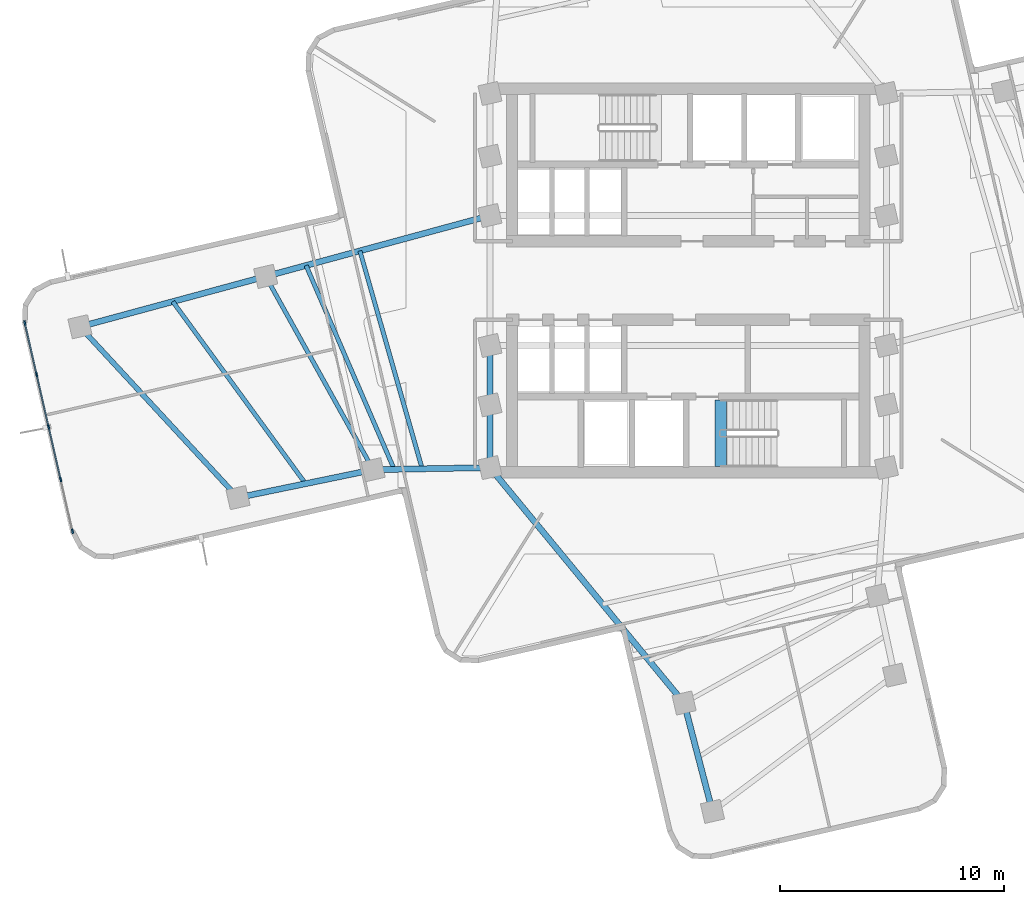
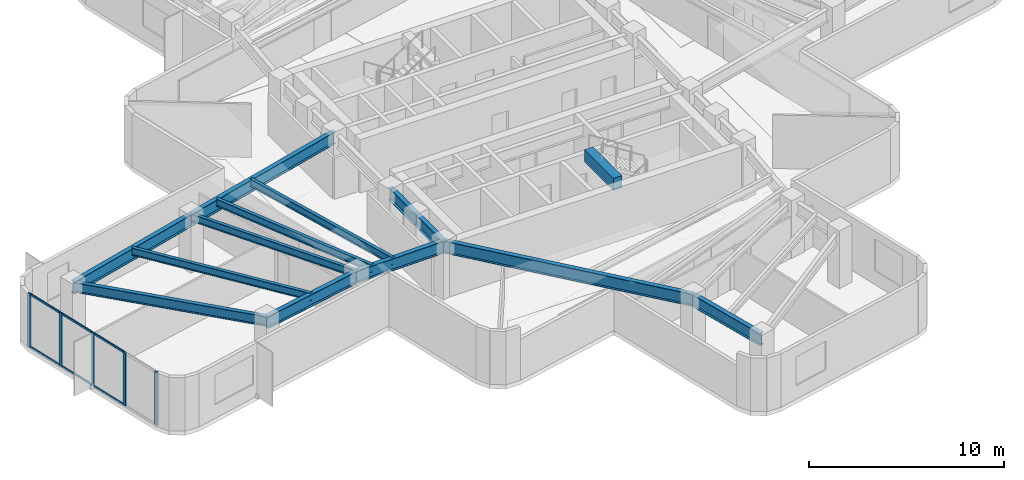
# One storey, part 2 of 11: 14 beams, 11 members, 1 element without a shape of its own.
"""IFC4 building model written with IfcOpenShell, lengths in metres."""

from ifc_helpers import new_model, si_unit, direction, frame, origin, origin_2d, place, context, subcontext, project, spatial, rectangle, i_section, extrude, material, layer, layer_set, material_profile, profile_set, type_object, element, aggregate, save


model = new_model("IFC4")

# Units and contexts
model_context = context("Model", 3, precision=1e-05, world=origin(), true_north=direction((0.0, 1.0)))
body_context = subcontext(model_context, "Body", "Model", "MODEL_VIEW")
ifc_project = project(units=[si_unit("LENGTHUNIT", "METRE"), si_unit("AREAUNIT", "SQUARE_METRE"), si_unit("VOLUMEUNIT", "CUBIC_METRE"), si_unit("PLANEANGLEUNIT", "RADIAN"), si_unit("MASSUNIT", "GRAM", prefix="KILO")], contexts=[model_context])

# Site, building, storey
site_placement = place(None, origin())
site = spatial("IfcSite", under=ifc_project, at=site_placement, CompositionType="ELEMENT")
building_placement = place(site_placement, origin())
building = spatial("IfcBuilding", under=site, at=building_placement, Name="Solmarez Civic Tower", CompositionType="ELEMENT")
storey_placement = place(building_placement, frame((0.0, 0.0, 119.8798828125)))
storey = spatial("IfcBuildingStorey", under=building, at=storey_placement, Name="L31", CompositionType="ELEMENT", Elevation=119.8798828125)

# Beams
ifc_material_1 = material(Name="Steel S355", Category="steel")
ifc_material_profile_1 = material_profile(ifc_material_1, i_section(OverallWidth=0.19189453125, OverallDepth=0.462890625, WebThickness=0.010498046875, FlangeThickness=0.017578125, at=origin_2d()), Name="W18X60")
ifc_profile_set_1 = profile_set([ifc_material_profile_1], Name="Steel S355")
beam_type_1 = type_object("IfcBeamType", Name="BM-JS-W18X60", PredefinedType="JOIST", material=ifc_profile_set_1)
beam_1_placement = place(storey_placement, frame((-18.860107421875, 0.18310546875, 3.109130859375), z_axis=(0.485852902718, -0.874040592261, 0.0), x_axis=(0.874040592261, 0.485852902718, 0.0)))
element("IfcBeam", 1, at=beam_1_placement, inside=storey, type_object=beam_type_1, Name="L31 Secondary Floor Joist BM-L31-WA-T1", PredefinedType="JOIST", context=body_context, shape_type="SweptSolid", body=[
    extrude(i_section(OverallWidth=0.19189453125, OverallDepth=0.462890625, WebThickness=0.010498046875, FlangeThickness=0.017578125, at=origin_2d()), origin(), (0.0, 0.0, 1.0), 9.87158203125),
])
beam_2_placement = place(storey_placement, frame((-23.006103515625, -0.94091796875, 3.109130859375), z_axis=(0.589058914091, -0.808090091345, 0.0), x_axis=(0.808090091345, 0.589058914091, 0.0)))
element("IfcBeam", 2, at=beam_2_placement, inside=storey, type_object=beam_type_1, Name="L31 Secondary Floor Joist JS-L31-WA-M2", PredefinedType="JOIST", context=body_context, shape_type="SweptSolid", body=[
    extrude(i_section(OverallWidth=0.19189453125, OverallDepth=0.462890625, WebThickness=0.010498046875, FlangeThickness=0.017578125, at=origin_2d()), origin(), (0.0, 0.0, 1.0), 10.05859375),
])
beam_3_placement = place(storey_placement, frame((-14.656005859375, 1.323974609375, 3.109130859375), z_axis=(0.27492825036, -0.961464745664, 0.0), x_axis=(0.961464745664, 0.27492825036, 0.0)))
element("IfcBeam", 3, at=beam_3_placement, inside=storey, type_object=beam_type_1, Name="L31 Secondary Floor Joist JS-L31-WA-M11", PredefinedType="JOIST", context=body_context, shape_type="SweptSolid", body=[
    extrude(i_section(OverallWidth=0.19189453125, OverallDepth=0.462890625, WebThickness=0.010498046875, FlangeThickness=0.017578125, at=origin_2d()), origin(), (0.0, 0.0, 1.0), 10.118896484375),
])
beam_4_placement = place(storey_placement, frame((-17.05810546875, 0.672119140625, 3.109130859375), z_axis=(0.396735074316, -0.917933157048, 0.0), x_axis=(0.917933157048, 0.396735074316, 0.0)))
element("IfcBeam", 4, at=beam_4_placement, inside=storey, type_object=beam_type_1, Name="L31 Secondary Floor Joist JS-L31-WA-M12", PredefinedType="JOIST", context=body_context, shape_type="SweptSolid", body=[
    extrude(i_section(OverallWidth=0.19189453125, OverallDepth=0.462890625, WebThickness=0.010498046875, FlangeThickness=0.017578125, at=origin_2d()), origin(), (0.0, 0.0, 1.0), 9.91357421875),
])
ifc_material_2 = material(Name="Concrete C50/60", Category="concrete")
ifc_material_profile_2 = material_profile(ifc_material_2, rectangle(XDim=0.5, YDim=0.75, at=origin_2d()), Name="RC500X750")
ifc_profile_set_2 = profile_set([ifc_material_profile_2], Name="Concrete C50/60")
beam_type_2 = type_object("IfcBeamType", Name="BM-PR-RC500X750", PredefinedType="BEAM", material=ifc_profile_set_2)
beam_5_placement = place(storey_placement, frame((1.449951171875, -8.300048828125, 3.233154296875), z_axis=(0.0, 1.0, 0.0), x_axis=(-1.0, 0.0, 0.0)))
element("IfcBeam", 5, at=beam_5_placement, inside=storey, type_object=beam_type_2, Name="L31 South Stair Threshold Beam", PredefinedType="BEAM", context=body_context, shape_type="SweptSolid", body=[
    extrude(rectangle(XDim=0.5, YDim=0.75, at=origin_2d()), origin(), (0.0, 0.0, 1.0), 2.9599609375),
])
ifc_material_profile_3 = material_profile(ifc_material_1, i_section(OverallWidth=0.26708984375, OverallDepth=0.761962890625, WebThickness=0.014404296875, FlangeThickness=0.021484375, at=origin_2d()), Name="W30X116")
ifc_profile_set_3 = profile_set([ifc_material_profile_3], Name="Steel S355")
beam_type_3 = type_object("IfcBeamType", Name="BM-PR-W30X116", PredefinedType="BEAM", material=ifc_profile_set_3)
beam_6_placement = place(storey_placement, frame((-8.85009765625, -8.35009765625, 2.959228515625), z_axis=(0.0, 1.0, 0.0), x_axis=(-1.0, 0.0, 0.0)))
element("IfcBeam", 6, at=beam_6_placement, inside=storey, type_object=beam_type_3, Name="L31 Primary Floor Beam BM-L31-HC12-HC1", PredefinedType="BEAM", context=body_context, shape_type="SweptSolid", body=[
    extrude(i_section(OverallWidth=0.26708984375, OverallDepth=0.761962890625, WebThickness=0.014404296875, FlangeThickness=0.021484375, at=origin_2d()), origin(), (0.0, 0.0, 1.0), 2.800048828125),
])
beam_7_placement = place(storey_placement, frame((-8.85009765625, -5.550048828125, 2.959228515625), z_axis=(0.0, 1.0, 0.0), x_axis=(-1.0, 0.0, 0.0)))
element("IfcBeam", 7, at=beam_7_placement, inside=storey, type_object=beam_type_3, Name="L31 Primary Floor Beam BM-L31-HC1-HC2", PredefinedType="BEAM", context=body_context, shape_type="SweptSolid", body=[
    extrude(i_section(OverallWidth=0.26708984375, OverallDepth=0.761962890625, WebThickness=0.014404296875, FlangeThickness=0.021484375, at=origin_2d()), origin(), (0.0, 0.0, 1.0), 2.650146484375),
])
beam_8_placement = place(storey_placement, frame((-8.85009765625, 2.89990234375, 2.959228515625), z_axis=(-0.965086289853, -0.261932153691, 0.0), x_axis=(0.261932153691, -0.965086289853, 0.0)))
element("IfcBeam", 8, at=beam_8_placement, inside=storey, type_object=beam_type_3, Name="L31 Primary Floor Beam BM-L31-WA-R1A", PredefinedType="BEAM", context=body_context, shape_type="SweptSolid", body=[
    extrude(i_section(OverallWidth=0.26708984375, OverallDepth=0.761962890625, WebThickness=0.014404296875, FlangeThickness=0.021484375, at=origin_2d()), origin(), (0.0, 0.0, 1.0), 10.3720703125),
])
beam_9_placement = place(storey_placement, frame((-8.85009765625, -8.35009765625, 2.959228515625), z_axis=(-0.999834147765, -0.018212000538, 0.0), x_axis=(0.018212000538, -0.999834147765, 0.0)))
element("IfcBeam", 9, at=beam_9_placement, inside=storey, type_object=beam_type_3, Name="L31 Primary Floor Beam BM-L31-WA-R1B", PredefinedType="BEAM", context=body_context, shape_type="SweptSolid", body=[
    extrude(i_section(OverallWidth=0.26708984375, OverallDepth=0.761962890625, WebThickness=0.014404296875, FlangeThickness=0.021484375, at=origin_2d()), origin(), (0.0, 0.0, 1.0), 5.21484375),
])
beam_10_placement = place(storey_placement, frame((-18.860107421875, 0.18310546875, 2.959228515625), z_axis=(-0.965195296066, -0.261530190326, 0.0), x_axis=(0.261530190326, -0.965195296066, 0.0)))
element("IfcBeam", 10, at=beam_10_placement, inside=storey, type_object=beam_type_3, Name="L31 Primary Floor Beam BM-L31-WA-R2A", PredefinedType="BEAM", context=body_context, shape_type="SweptSolid", body=[
    extrude(i_section(OverallWidth=0.26708984375, OverallDepth=0.761962890625, WebThickness=0.014404296875, FlangeThickness=0.021484375, at=origin_2d()), origin(), (0.0, 0.0, 1.0), 8.592041015625),
])
beam_11_placement = place(storey_placement, frame((-14.06396484375, -8.445068359375, 2.959228515625), z_axis=(-0.979311082476, -0.202360578523, 0.0), x_axis=(0.202360578523, -0.979311082476, 0.0)))
element("IfcBeam", 11, at=beam_11_placement, inside=storey, type_object=beam_type_3, Name="L31 Primary Floor Beam BM-L31-WA-R2B", PredefinedType="BEAM", context=body_context, shape_type="SweptSolid", body=[
    extrude(i_section(OverallWidth=0.26708984375, OverallDepth=0.761962890625, WebThickness=0.014404296875, FlangeThickness=0.021484375, at=origin_2d()), origin(), (0.0, 0.0, 1.0), 6.161376953125),
])
beam_12_placement = place(storey_placement, frame((-8.85009765625, -8.35009765625, 2.959228515625), z_axis=(0.636218453069, -0.77150896299, 0.0), x_axis=(0.77150896299, 0.636218453069, 0.0)))
element("IfcBeam", 12, at=beam_12_placement, inside=storey, type_object=beam_type_3, Name="L31 Primary Floor Beam BM-L31-SA-R1A", PredefinedType="BEAM", context=body_context, shape_type="SweptSolid", body=[
    extrude(i_section(OverallWidth=0.26708984375, OverallDepth=0.761962890625, WebThickness=0.014404296875, FlangeThickness=0.021484375, at=origin_2d()), origin(), (0.0, 0.0, 1.0), 13.62255859375),
])
beam_13_placement = place(storey_placement, frame((-0.18310546875, -18.860107421875, 2.959228515625), z_axis=(0.253228832632, -0.967406408043, 0.0), x_axis=(0.967406408043, 0.253228832632, 0.0)))
element("IfcBeam", 13, at=beam_13_placement, inside=storey, type_object=beam_type_3, Name="L31 Primary Floor Beam BM-L31-SA-R2A", PredefinedType="BEAM", context=body_context, shape_type="SweptSolid", body=[
    extrude(i_section(OverallWidth=0.26708984375, OverallDepth=0.761962890625, WebThickness=0.014404296875, FlangeThickness=0.021484375, at=origin_2d()), origin(), (0.0, 0.0, 1.0), 5.0),
])
ifc_material_profile_4 = material_profile(ifc_material_1, i_section(OverallWidth=0.22900390625, OverallDepth=0.612060546875, WebThickness=0.011962890625, FlangeThickness=0.01953125, at=origin_2d()), Name="W24X84")
ifc_profile_set_4 = profile_set([ifc_material_profile_4], Name="Steel S355")
beam_type_4 = type_object("IfcBeamType", Name="BM-SP-W24X84", PredefinedType="SPANDREL", material=ifc_profile_set_4)
beam_14_placement = place(storey_placement, frame((-27.153076171875, -2.06396484375, 3.0341796875), z_axis=(0.679007792344, -0.734131063187, 0.0), x_axis=(0.734131063187, 0.679007792344, 0.0)))
element("IfcBeam", 14, at=beam_14_placement, inside=storey, type_object=beam_type_4, Name="L31 Perimeter Spandrel Beam BM-L31-WA-T2", PredefinedType="SPANDREL", context=body_context, shape_type="SweptSolid", body=[
    extrude(i_section(OverallWidth=0.22900390625, OverallDepth=0.612060546875, WebThickness=0.011962890625, FlangeThickness=0.01953125, at=origin_2d()), origin(), (0.0, 0.0, 1.0), 10.390380859375),
])

# Curtain wall, members
ifc_material_3 = material(Name="Bronze Anodised Aluminium EN AW-6063 T6", Category="aluminium")
ifc_layer = layer(ifc_material_3, 0.2099609375)
ifc_layer_set = layer_set([ifc_layer], Name="Bronze Anodised Aluminium EN AW-6063 T6")
curtain_wall_type = type_object("IfcCurtainWallType", Name="CW-SYS-5", PredefinedType="NOTDEFINED", material=ifc_layer_set)
curtain_wall_placement = place(storey_placement, origin())
curtain_wall = element("IfcCurtainWall", 15, at=curtain_wall_placement, inside=storey, type_object=curtain_wall_type, Name="L31 Stick-Built Curtain Wall 1", PredefinedType="NOTDEFINED")
ifc_material_profile_5 = material_profile(ifc_material_3, rectangle(XDim=0.074951171875, YDim=0.199951171875, at=origin_2d()), Name="CWM-75X200")
ifc_profile_set_5 = profile_set([ifc_material_profile_5], Name="Bronze Anodised Aluminium EN AW-6063 T6")
member_type_1 = type_object("IfcMemberType", Name="CWM-TYPE-1", PredefinedType="MULLION", material=ifc_profile_set_5)
member_1_placement = place(storey_placement, frame((-27.484375, -11.19140625, 0.0), z_axis=(0.0, 0.0, 1.0), x_axis=(-0.974735147292, -0.223363812276, 0.0)))
member_1 = element("IfcMember", 16, at=member_1_placement, type_object=member_type_1, Name="CWS5 mullion 1", PredefinedType="MULLION", context=body_context, shape_type="SweptSolid", body=[
    extrude(rectangle(XDim=0.074951171875, YDim=0.199951171875, at=origin_2d()), origin(), (0.0, 0.0, 1.0), 3.340087890625),
])
member_2_placement = place(storey_placement, frame((-28.01318359375, -8.883544921875, 0.0), z_axis=(0.0, 0.0, 1.0), x_axis=(-0.974735147292, -0.223363812276, 0.0)))
member_2 = element("IfcMember", 17, at=member_2_placement, type_object=member_type_1, Name="CWS5 mullion 2", PredefinedType="MULLION", context=body_context, shape_type="SweptSolid", body=[
    extrude(rectangle(XDim=0.074951171875, YDim=0.199951171875, at=origin_2d()), origin(), (0.0, 0.0, 1.0), 3.340087890625),
])
member_3_placement = place(storey_placement, frame((-28.550537109375, -6.5390625, 0.0), z_axis=(0.0, 0.0, 1.0), x_axis=(-0.974735147292, -0.223363812276, 0.0)))
member_3 = element("IfcMember", 18, at=member_3_placement, type_object=member_type_1, Name="CWS5 mullion 3", PredefinedType="MULLION", context=body_context, shape_type="SweptSolid", body=[
    extrude(rectangle(XDim=0.074951171875, YDim=0.199951171875, at=origin_2d()), origin(), (0.0, 0.0, 1.0), 3.340087890625),
])
member_4_placement = place(storey_placement, frame((-29.087646484375, -4.194580078125, 0.0), z_axis=(0.0, 0.0, 1.0), x_axis=(-0.974735147292, -0.223363812276, 0.0)))
member_4 = element("IfcMember", 19, at=member_4_placement, type_object=member_type_1, Name="CWS5 mullion 4", PredefinedType="MULLION", context=body_context, shape_type="SweptSolid", body=[
    extrude(rectangle(XDim=0.074951171875, YDim=0.199951171875, at=origin_2d()), origin(), (0.0, 0.0, 1.0), 3.340087890625),
])
member_5_placement = place(storey_placement, frame((-29.61669921875, -1.886474609375, 0.0), z_axis=(0.0, 0.0, 1.0), x_axis=(-0.974735147292, -0.223363812276, 0.0)))
member_5 = element("IfcMember", 20, at=member_5_placement, type_object=member_type_1, Name="CWS5 mullion 5", PredefinedType="MULLION", context=body_context, shape_type="SweptSolid", body=[
    extrude(rectangle(XDim=0.074951171875, YDim=0.199951171875, at=origin_2d()), origin(), (0.0, 0.0, 1.0), 3.340087890625),
])
ifc_material_profile_6 = material_profile(ifc_material_3, rectangle(XDim=0.06494140625, YDim=0.125, at=origin_2d()), Name="CWT-65X125")
ifc_profile_set_6 = profile_set([ifc_material_profile_6], Name="Bronze Anodised Aluminium EN AW-6063 T6")
member_type_2 = type_object("IfcMemberType", Name="CWT-TYPE-2", PredefinedType="USERDEFINED", material=ifc_profile_set_6)
member_6_placement = place(storey_placement, frame((-28.021728515625, -8.846923828125, 0.03271484375), z_axis=(-0.223359566662, 0.974736120179, 0.0), x_axis=(-0.974736120179, -0.223359566662, 0.0)))
member_6 = element("IfcMember", 21, at=member_6_placement, type_object=member_type_2, Name="CWS5 transom 2.1", ObjectType="TRANSOM", PredefinedType="USERDEFINED", context=body_context, shape_type="SweptSolid", body=[
    extrude(rectangle(XDim=0.06494140625, YDim=0.125, at=origin_2d()), origin(), (0.0, 0.0, 1.0), 2.330322265625),
])
member_7_placement = place(storey_placement, frame((-28.021728515625, -8.846923828125, 3.3076171875), z_axis=(-0.223359566662, 0.974736120179, 0.0), x_axis=(-0.974736120179, -0.223359566662, 0.0)))
member_7 = element("IfcMember", 22, at=member_7_placement, type_object=member_type_2, Name="CWS5 transom 2.2", ObjectType="TRANSOM", PredefinedType="USERDEFINED", context=body_context, shape_type="SweptSolid", body=[
    extrude(rectangle(XDim=0.06494140625, YDim=0.125, at=origin_2d()), origin(), (0.0, 0.0, 1.0), 2.330322265625),
])
member_8_placement = place(storey_placement, frame((-28.558837890625, -6.50244140625, 0.03271484375), z_axis=(-0.223359566662, 0.974736120179, 0.0), x_axis=(-0.974736120179, -0.223359566662, 0.0)))
member_8 = element("IfcMember", 23, at=member_8_placement, type_object=member_type_2, Name="CWS5 transom 3.1", ObjectType="TRANSOM", PredefinedType="USERDEFINED", context=body_context, shape_type="SweptSolid", body=[
    extrude(rectangle(XDim=0.06494140625, YDim=0.125, at=origin_2d()), origin(), (0.0, 0.0, 1.0), 2.330322265625),
])
member_9_placement = place(storey_placement, frame((-28.558837890625, -6.50244140625, 3.3076171875), z_axis=(-0.223359566662, 0.974736120179, 0.0), x_axis=(-0.974736120179, -0.223359566662, 0.0)))
member_9 = element("IfcMember", 24, at=member_9_placement, type_object=member_type_2, Name="CWS5 transom 3.2", ObjectType="TRANSOM", PredefinedType="USERDEFINED", context=body_context, shape_type="SweptSolid", body=[
    extrude(rectangle(XDim=0.06494140625, YDim=0.125, at=origin_2d()), origin(), (0.0, 0.0, 1.0), 2.330322265625),
])
member_10_placement = place(storey_placement, frame((-29.09619140625, -4.157958984375, 0.03271484375), z_axis=(-0.223296062361, 0.974750669933, 0.0), x_axis=(-0.974750669933, -0.223296062361, 0.0)))
member_10 = element("IfcMember", 25, at=member_10_placement, type_object=member_type_2, Name="CWS5 transom 4.1", ObjectType="TRANSOM", PredefinedType="USERDEFINED", context=body_context, shape_type="SweptSolid", body=[
    extrude(rectangle(XDim=0.06494140625, YDim=0.125, at=origin_2d()), origin(), (0.0, 0.0, 1.0), 2.292724609375),
])
member_11_placement = place(storey_placement, frame((-29.09619140625, -4.157958984375, 3.3076171875), z_axis=(-0.223296062361, 0.974750669933, 0.0), x_axis=(-0.974750669933, -0.223296062361, 0.0)))
member_11 = element("IfcMember", 26, at=member_11_placement, type_object=member_type_2, Name="CWS5 transom 4.2", ObjectType="TRANSOM", PredefinedType="USERDEFINED", context=body_context, shape_type="SweptSolid", body=[
    extrude(rectangle(XDim=0.06494140625, YDim=0.125, at=origin_2d()), origin(), (0.0, 0.0, 1.0), 2.292724609375),
])
aggregate(curtain_wall, [member_1, member_2, member_3, member_4, member_5, member_6, member_7, member_8, member_9, member_10, member_11])

save(model, "model.ifc")
